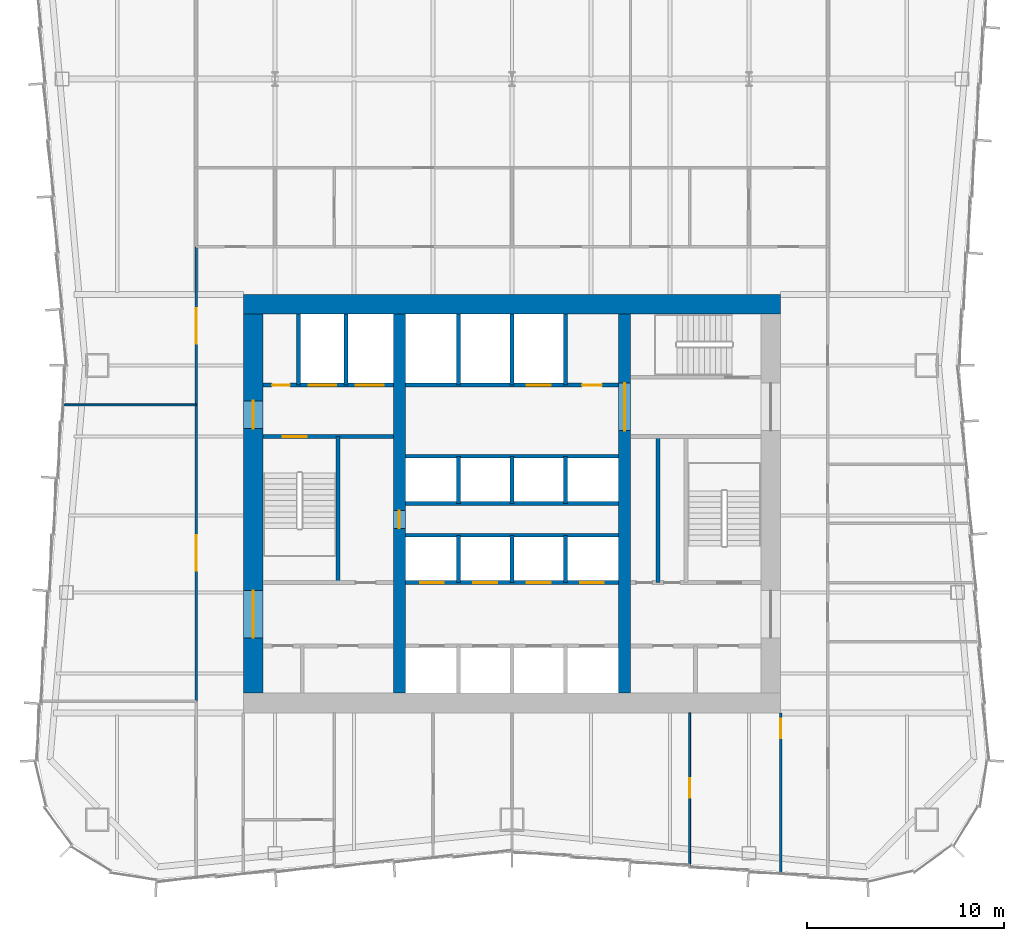
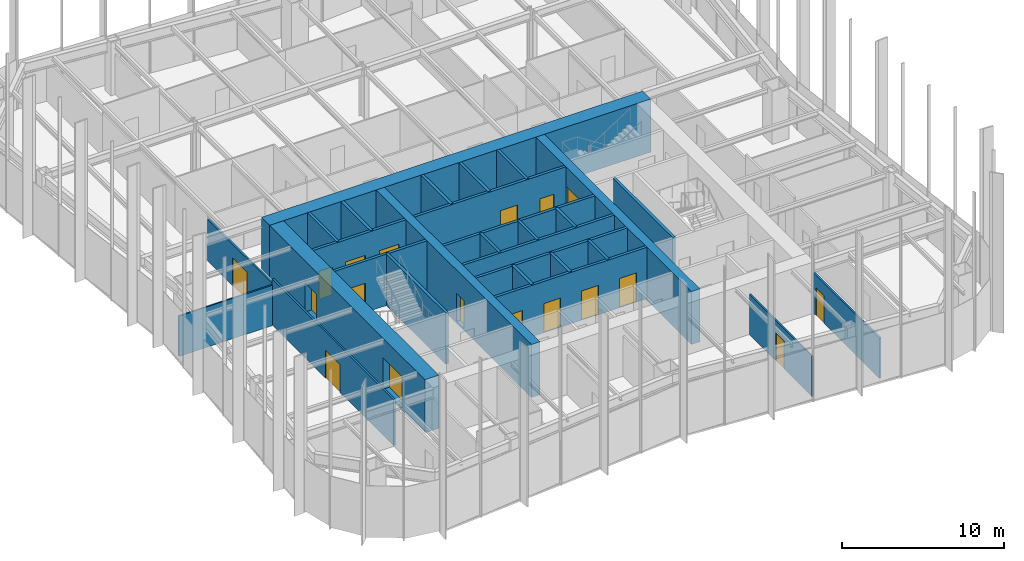
# One storey, part 10 of 13: 29 walls, 18 doors, 18 openings.
"""IFC4 building model written with IfcOpenShell, lengths in metres."""

import ifcopenshell
import ifcopenshell.guid

model = None  # the IFC model being written
_history = None  # IfcOwnerHistory: only IFC2X3 demands one
_inside = {}  # id of a spatial element -> (the spatial element, [elements in it])
_under = {}  # id of a project, library or spatial element -> (it, [spatial elements below it])
_declared = {}  # id of a project -> (the project, [libraries it declares])
_typed = {}  # id of a type object -> (the type object, [elements of that type])
_made_of = {}  # id of a material, layer set ... -> (it, [elements and type objects made of it])


def new_model(schema):
    """Start an empty IFC model of exactly this schema.

    Asked for "IFC4X3", IfcOpenShell would pick the latest addendum, in which some entities
    have other attributes; the version numbers below select the first issue.
    IFC2X3 requires an IfcOwnerHistory on every rooted entity: one is made here for all.
    """
    global model, _history
    if schema == "IFC4X3":
        model = ifcopenshell.file(schema_version=(4, 3, 0, 0))
    else:
        model = ifcopenshell.file(schema=schema)
    _inside.clear()
    _under.clear()
    _declared.clear()
    _typed.clear()
    _made_of.clear()
    _history = None
    if model.schema == "IFC2X3":
        org = make("IfcOrganization", Name="unknown")
        user = make(
            "IfcPersonAndOrganization",
            ThePerson=make("IfcPerson", FamilyName="unknown"),
            TheOrganization=org,
        )
        app = make(
            "IfcApplication",
            ApplicationDeveloper=org,
            Version="unknown",
            ApplicationFullName="unknown",
            ApplicationIdentifier="unknown",
        )
        _history = make(
            "IfcOwnerHistory",
            OwningUser=user,
            OwningApplication=app,
            ChangeAction="ADDED",
            CreationDate=0,
        )
    return model


def make(cls, **values):
    """One entity of the class cls with the attributes given. An attribute that is None is left unset."""
    return model.create_entity(
        cls, **{name: value for name, value in values.items() if value is not None}
    )


def rooted(cls, **values):
    """An entity with a GlobalId (a new one), such as an element, a storey or a relation."""
    return make(cls, GlobalId=ifcopenshell.guid.new(), OwnerHistory=_history, **values)


def si_unit(unit_type, name, prefix=None):
    """IfcSIUnit, for example si_unit("LENGTHUNIT", "METRE", prefix="MILLI")."""
    return make("IfcSIUnit", UnitType=unit_type, Prefix=prefix, Name=name)


def assignment(units):
    """IfcUnitAssignment: the units of a project."""
    return None if units is None else make("IfcUnitAssignment", Units=units)


def point(xyz):
    """IfcCartesianPoint."""
    return None if xyz is None else make("IfcCartesianPoint", Coordinates=xyz)


def direction(xyz):
    """IfcDirection."""
    return None if xyz is None else make("IfcDirection", DirectionRatios=xyz)


def frame(location, z_axis=None, x_axis=None):
    """IfcAxis2Placement3D, a coordinate frame: its origin and axes. An axis left out is left unset."""
    return make(
        "IfcAxis2Placement3D",
        Location=point(location),
        Axis=direction(z_axis),
        RefDirection=direction(x_axis),
    )


def frame_2d(location, x_axis=None):
    """IfcAxis2Placement2D, a coordinate frame in the plane: its origin and x axis."""
    return make(
        "IfcAxis2Placement2D", Location=point(location), RefDirection=direction(x_axis)
    )


def origin():
    """The frame at (0, 0, 0) with its axes left unset."""
    return frame((0.0, 0.0, 0.0))


def place(relative_to, where):
    """IfcLocalPlacement: puts the frame where relative to a parent placement (None: the world)."""
    return make(
        "IfcLocalPlacement", PlacementRelTo=relative_to, RelativePlacement=where
    )


def context(
    kind, dimensions, precision=None, world=None, true_north=None, identifier=None
):
    """IfcGeometricRepresentationContext, for example the 3D "Model" context."""
    return make(
        "IfcGeometricRepresentationContext",
        ContextIdentifier=identifier,
        ContextType=kind,
        CoordinateSpaceDimension=dimensions,
        Precision=precision,
        WorldCoordinateSystem=world,
        TrueNorth=true_north,
    )


def subcontext(parent, identifier, kind, view, scale=None):
    """IfcGeometricRepresentationSubContext, for example "Body" below "Model"."""
    return make(
        "IfcGeometricRepresentationSubContext",
        ContextIdentifier=identifier,
        ContextType=kind,
        ParentContext=parent,
        TargetScale=scale,
        TargetView=view,
    )


def project(units=None, contexts=None):
    """IfcProject with its units and contexts."""
    return rooted(
        "IfcProject",
        Name="project",
        RepresentationContexts=contexts,
        UnitsInContext=assignment(units),
    )


def spatial(cls, under=None, at=None, **own):
    """A site, building, storey or space (cls), placed at a placement, below another one or the project."""
    s = rooted(cls, ObjectPlacement=at, **own)
    if under is not None:
        _under.setdefault(under.id(), (under, []))[1].append(s)
    return s


def profile(cls, at=None, kind="AREA", **sizes):
    """A parametric profile (cls). Its sizes go by their IFC names, for example OverallWidth=200.0."""
    return make(cls, ProfileType=kind, Position=at, **sizes)


def rectangle(**sizes):
    """IfcRectangleProfileDef."""
    return profile("IfcRectangleProfileDef", **sizes)


def extrude(swept, where, along, depth):
    """IfcExtrudedAreaSolid: the profile swept, set in the frame where, extruded along a direction by depth."""
    return make(
        "IfcExtrudedAreaSolid",
        SweptArea=swept,
        Position=where,
        ExtrudedDirection=direction(along),
        Depth=depth,
    )


def shape(context_of_items, identifier, shape_type, items):
    """IfcShapeRepresentation: the items that make up one representation, for example the "Body"."""
    return make(
        "IfcShapeRepresentation",
        ContextOfItems=context_of_items,
        RepresentationIdentifier=identifier,
        RepresentationType=shape_type,
        Items=items,
    )


def material(Name=None, Category=None):
    """IfcMaterial."""
    return make("IfcMaterial", Name=Name, Category=Category)


def layer(
    of_material, thickness, ventilated=None, Name=None, Category=None, Priority=None
):
    """IfcMaterialLayer: one layer of a wall or slab, of a material (None: an air gap)."""
    return make(
        "IfcMaterialLayer",
        Material=of_material,
        LayerThickness=thickness,
        IsVentilated=ventilated,
        Name=Name,
        Category=Category,
        Priority=Priority,
    )


def layer_set(layers, Name=None):
    """IfcMaterialLayerSet."""
    return make("IfcMaterialLayerSet", MaterialLayers=layers, LayerSetName=Name)


def made_of(thing, what):
    """Note that an element or type object is made of a material, layer set ...; save() writes the relation."""
    if what is not None:
        _made_of.setdefault(what.id(), (what, []))[1].append(thing)
    return thing


def type_object(cls, material=None, **own):
    """A type object (cls), such as IfcWallType, which elements share."""
    return made_of(rooted(cls, **own), material)


def element(
    cls,
    number,
    at=None,
    inside=None,
    cuts=None,
    type_object=None,
    material=None,
    context=None,
    identifier="Body",
    shape_type=None,
    held_by="IfcProductDefinitionShape",
    body=None,
    shapes=None,
    **own,
):
    """One element of the class cls, such as IfcWall. Its Tag is "e" and its number.

    at: its placement. inside: the storey or other place that contains it. cuts: it is an
    opening in that element (IfcRelVoidsElement). A single representation is given by context,
    identifier, shape_type and body (its items); several are given by shapes. held_by: the class
    of the entity that holds the representations. save() writes the other relations.
    """
    e = rooted(cls, Tag="e%d" % number, ObjectPlacement=at, **own)
    if body is not None:
        shapes = [shape(context, identifier, shape_type, body)]
    if shapes is not None:
        e.Representation = make(held_by, Representations=shapes)
    if inside is not None:
        _inside.setdefault(inside.id(), (inside, []))[1].append(e)
    if cuts is not None:
        rooted(
            "IfcRelVoidsElement", RelatingBuildingElement=cuts, RelatedOpeningElement=e
        )
    if type_object is not None:
        _typed.setdefault(type_object.id(), (type_object, []))[1].append(e)
    return made_of(e, material)


def fill(opening, filler):
    """IfcRelFillsElement: the door or window that sits in an opening."""
    return rooted(
        "IfcRelFillsElement",
        RelatingOpeningElement=opening,
        RelatedBuildingElement=filler,
    )


def aggregate(whole, parts):
    """IfcRelAggregates: a whole, such as a stair, and the parts it consists of."""
    return rooted("IfcRelAggregates", RelatingObject=whole, RelatedObjects=parts)


def save(model, path):
    """Write the relations noted so far, then the file.

    IfcRelAggregates (storeys below a building ...), IfcRelContainedInSpatialStructure (elements
    in a storey), IfcRelDefinesByType, IfcRelAssociatesMaterial and IfcRelDeclares: one each for
    every whole, place, type object, material and project.
    """
    for whole, parts in _under.values():
        aggregate(whole, parts)
    for where, things in _inside.values():
        rooted(
            "IfcRelContainedInSpatialStructure",
            RelatedElements=things,
            RelatingStructure=where,
        )
    for kind, things in _typed.values():
        rooted("IfcRelDefinesByType", RelatedObjects=things, RelatingType=kind)
    for what, things in _made_of.values():
        rooted("IfcRelAssociatesMaterial", RelatedObjects=things, RelatingMaterial=what)
    for by, libraries in _declared.values():
        rooted("IfcRelDeclares", RelatingContext=by, RelatedDefinitions=libraries)
    model.write(path)


model = new_model("IFC4")

# Units and contexts
model_context = context("Model", 3, precision=1e-05, world=origin(), true_north=direction((0.0, 1.0)))
body_context = subcontext(model_context, "Body", "Model", "MODEL_VIEW")
ifc_project = project(units=[si_unit("LENGTHUNIT", "METRE"), si_unit("AREAUNIT", "SQUARE_METRE"), si_unit("VOLUMEUNIT", "CUBIC_METRE"), si_unit("PLANEANGLEUNIT", "RADIAN"), si_unit("MASSUNIT", "GRAM", prefix="KILO")], contexts=[model_context])

# Site, building, storey
site_placement = place(None, origin())
site = spatial("IfcSite", under=ifc_project, at=site_placement, CompositionType="ELEMENT")
building_placement = place(site_placement, origin())
building = spatial("IfcBuilding", under=site, at=building_placement, Name="Verdant Reach Tower", CompositionType="ELEMENT")
storey_placement = place(building_placement, frame((0.0, 0.0, 138.0)))
storey = spatial("IfcBuildingStorey", under=building, at=storey_placement, Name="L31", CompositionType="ELEMENT", Elevation=138.0)

# Wall
ifc_material_1 = material(Name="Gypsum board on steel studs", Category="steel")
ifc_layer_1 = layer(ifc_material_1, 0.199951171875)
ifc_layer_set_1 = layer_set([ifc_layer_1], Name="CO-WALL-ROOM")
wall_type_1 = type_object("IfcWallType", Name="CO-WALL-ROOM", PredefinedType="PARTITIONING", material=ifc_layer_set_1)
wall_1_placement = place(storey_placement, frame((7.39990234375, 24.0, 0.0), z_axis=(0.0, 0.0, 1.0), x_axis=(0.0, 1.0, 0.0)))
element("IfcWall", 1, at=wall_1_placement, inside=storey, type_object=wall_type_1, Name="Core partition, L31", PredefinedType="PARTITIONING", context=body_context, shape_type="SweptSolid", body=[
    extrude(rectangle(XDim=7.39990234375, YDim=0.199951171875, at=frame_2d((3.699951171875, 0.0))), origin(), (0.0, 0.0, 1.0), 3.8701171875),
])

# Wall, openings, doors
ifc_material_2 = material(Name="Concrete C40/50", Category="concrete")
ifc_layer_2 = layer(ifc_material_2, 0.199951171875)
ifc_layer_set_2 = layer_set([ifc_layer_2], Name="CO-WALL-SHAFT")
wall_type_2 = type_object("IfcWallType", Name="CO-WALL-SHAFT", PredefinedType="PARTITIONING", material=ifc_layer_set_2)
wall_2_placement = place(storey_placement, frame((-5.39990234375, 24.0, 0.0), z_axis=(0.0, 0.0, 1.0), x_axis=(1.0, 0.0, 0.0)))
wall_2 = element("IfcWall", 2, at=wall_2_placement, inside=storey, type_object=wall_type_2, Name="Lift shaft wall, L31", PredefinedType="PARTITIONING", context=body_context, shape_type="SweptSolid", body=[
    extrude(rectangle(XDim=10.7998046875, YDim=0.199951171875, at=frame_2d((5.39990234375, 0.0))), origin(), (0.0, 0.0, 1.0), 3.8701171875),
])
opening_1_placement = place(wall_2_placement, frame((0.75, 0.0, 0.0)))
opening_1 = element("IfcOpeningElement", 3, at=opening_1_placement, cuts=wall_2, Name="Opening LD-A5", PredefinedType="OPENING", context=body_context, shape_type="SweptSolid", body=[
    extrude(rectangle(XDim=1.199951171875, YDim=2.199951171875, at=frame_2d((0.60009765625, 1.10009765625))), frame((0.0, 0.10986328125, 0.0), z_axis=(0.0, -1.0, 0.0), x_axis=(1.0, 0.0, 0.0)), (0.0, 0.0, 1.0), 0.219970703125),
])
opening_2_placement = place(wall_2_placement, frame((3.449951171875, 0.0, 0.0)))
opening_2 = element("IfcOpeningElement", 4, at=opening_2_placement, cuts=wall_2, Name="Opening LD-A6", PredefinedType="OPENING", context=body_context, shape_type="SweptSolid", body=[
    extrude(rectangle(XDim=1.199951171875, YDim=2.199951171875, at=frame_2d((0.60009765625, 1.10009765625))), frame((0.0, 0.10986328125, 0.0), z_axis=(0.0, -1.0, 0.0), x_axis=(1.0, 0.0, 0.0)), (0.0, 0.0, 1.0), 0.219970703125),
])
opening_3_placement = place(wall_2_placement, frame((6.14990234375, 0.0, 0.0)))
opening_3 = element("IfcOpeningElement", 5, at=opening_3_placement, cuts=wall_2, Name="Opening LD-A7", PredefinedType="OPENING", context=body_context, shape_type="SweptSolid", body=[
    extrude(rectangle(XDim=1.199951171875, YDim=2.199951171875, at=frame_2d((0.60009765625, 1.10009765625))), frame((0.0, 0.10986328125, 0.0), z_axis=(0.0, -1.0, 0.0), x_axis=(1.0, 0.0, 0.0)), (0.0, 0.0, 1.0), 0.219970703125),
])
opening_4_placement = place(wall_2_placement, frame((8.85009765625, 0.0, 0.0)))
opening_4 = element("IfcOpeningElement", 6, at=opening_4_placement, cuts=wall_2, Name="Opening LD-A8", PredefinedType="OPENING", context=body_context, shape_type="SweptSolid", body=[
    extrude(rectangle(XDim=1.199951171875, YDim=2.199951171875, at=frame_2d((0.60009765625, 1.10009765625))), frame((0.0, 0.10986328125, 0.0), z_axis=(0.0, -1.0, 0.0), x_axis=(1.0, 0.0, 0.0)), (0.0, 0.0, 1.0), 0.219970703125),
])
ifc_material_3 = material(Name="Stainless steel", Category="steel")
door_type_1 = type_object("IfcDoorType", Name="CO-DOOR-LANDING", OperationType="SLIDING_TO_LEFT", PredefinedType="DOOR", material=ifc_material_3)
door_1_placement = place(opening_1_placement, origin())
door_1 = element("IfcDoor", 7, at=door_1_placement, inside=storey, type_object=door_type_1, Name="Landing door A5, L31", OperationType="SLIDING_TO_LEFT", OverallHeight=2.199951171875, OverallWidth=1.199951171875, PredefinedType="DOOR", context=body_context, shape_type="SweptSolid", body=[
    extrude(rectangle(XDim=1.199951171875, YDim=2.199951171875, at=frame_2d((0.60009765625, 1.10009765625))), frame((0.0, 0.02490234375, 0.0), z_axis=(0.0, -1.0, 0.0), x_axis=(1.0, 0.0, 0.0)), (0.0, 0.0, 1.0), 0.050048828125),
])
fill(opening_1, door_1)
door_2_placement = place(opening_2_placement, origin())
door_2 = element("IfcDoor", 8, at=door_2_placement, inside=storey, type_object=door_type_1, Name="Landing door A6, L31", OperationType="SLIDING_TO_LEFT", OverallHeight=2.199951171875, OverallWidth=1.199951171875, PredefinedType="DOOR", context=body_context, shape_type="SweptSolid", body=[
    extrude(rectangle(XDim=1.199951171875, YDim=2.199951171875, at=frame_2d((0.60009765625, 1.10009765625))), frame((0.0, 0.02490234375, 0.0), z_axis=(0.0, -1.0, 0.0), x_axis=(1.0, 0.0, 0.0)), (0.0, 0.0, 1.0), 0.050048828125),
])
fill(opening_2, door_2)
door_3_placement = place(opening_3_placement, origin())
door_3 = element("IfcDoor", 9, at=door_3_placement, inside=storey, type_object=door_type_1, Name="Landing door A7, L31", OperationType="SLIDING_TO_LEFT", OverallHeight=2.199951171875, OverallWidth=1.199951171875, PredefinedType="DOOR", context=body_context, shape_type="SweptSolid", body=[
    extrude(rectangle(XDim=1.199951171875, YDim=2.199951171875, at=frame_2d((0.60009765625, 1.10009765625))), frame((0.0, 0.02490234375, 0.0), z_axis=(0.0, -1.0, 0.0), x_axis=(1.0, 0.0, 0.0)), (0.0, 0.0, 1.0), 0.050048828125),
])
fill(opening_3, door_3)
door_4_placement = place(opening_4_placement, origin())
door_4 = element("IfcDoor", 10, at=door_4_placement, inside=storey, type_object=door_type_1, Name="Landing door A8, L31", OperationType="SLIDING_TO_LEFT", OverallHeight=2.199951171875, OverallWidth=1.199951171875, PredefinedType="DOOR", context=body_context, shape_type="SweptSolid", body=[
    extrude(rectangle(XDim=1.199951171875, YDim=2.199951171875, at=frame_2d((0.60009765625, 1.10009765625))), frame((0.0, 0.02490234375, 0.0), z_axis=(0.0, -1.0, 0.0), x_axis=(1.0, 0.0, 0.0)), (0.0, 0.0, 1.0), 0.050048828125),
])
fill(opening_4, door_4)

# Walls
for number, where, z_axis, x_axis, name in (
    (11, (-5.39990234375, 26.39990234375, 0.0), (0.0, 0.0, 1.0), (1.0, 0.0, 0.0), "Lift shaft wall, L31"),
    (12, (-5.39990234375, 28.0, 0.0), (0.0, 0.0, 1.0), (1.0, 0.0, 0.0), "Lift shaft wall, L31"),
    (13, (-5.39990234375, 30.39990234375, 0.0), (0.0, 0.0, 1.0), (1.0, 0.0, 0.0), "Lift shaft wall, L31"),
):
    element("IfcWall", number, at=place(storey_placement, frame(where, z_axis=z_axis, x_axis=x_axis)), inside=storey, type_object=wall_type_2, Name=name, PredefinedType="PARTITIONING", context=body_context, shape_type="SweptSolid", body=[
        extrude(rectangle(XDim=10.7998046875, YDim=0.199951171875, at=frame_2d((5.39990234375, 0.0))), origin(), (0.0, 0.0, 1.0), 3.8701171875),
    ])

# Wall, openings, doors
wall_3_placement = place(storey_placement, frame((-12.60009765625, 34.0, 0.0), z_axis=(0.0, 0.0, 1.0), x_axis=(1.0, 0.0, 0.0)))
wall_3 = element("IfcWall", 14, at=wall_3_placement, inside=storey, type_object=wall_type_2, Name="Lift shaft wall, L31", PredefinedType="PARTITIONING", context=body_context, shape_type="SweptSolid", body=[
    extrude(rectangle(XDim=6.60009765625, YDim=0.199951171875, at=frame_2d((3.300048828125, 0.0))), origin(), (0.0, 0.0, 1.0), 3.8701171875),
])
opening_5_placement = place(wall_3_placement, frame((4.699951171875, 0.0, 0.0)))
opening_5 = element("IfcOpeningElement", 15, at=opening_5_placement, cuts=wall_3, Name="Opening LD-F1", PredefinedType="OPENING", context=body_context, shape_type="SweptSolid", body=[
    extrude(rectangle(XDim=1.39990234375, YDim=2.199951171875, at=frame_2d((0.699951171875, 1.10009765625))), frame((0.0, 0.10986328125, 0.0), z_axis=(0.0, -1.0, 0.0), x_axis=(1.0, 0.0, 0.0)), (0.0, 0.0, 1.0), 0.219970703125),
])
opening_6_placement = place(wall_3_placement, frame((2.300048828125, 0.0, 0.0)))
opening_6 = element("IfcOpeningElement", 16, at=opening_6_placement, cuts=wall_3, Name="Opening LD-F2", PredefinedType="OPENING", context=body_context, shape_type="SweptSolid", body=[
    extrude(rectangle(XDim=1.39990234375, YDim=2.199951171875, at=frame_2d((0.699951171875, 1.10009765625))), frame((0.0, 0.10986328125, 0.0), z_axis=(0.0, -1.0, 0.0), x_axis=(1.0, 0.0, 0.0)), (0.0, 0.0, 1.0), 0.219970703125),
])
opening_7_placement = place(wall_3_placement, frame((0.449951171875, 0.0, 0.0)))
opening_7 = element("IfcOpeningElement", 17, at=opening_7_placement, cuts=wall_3, Name="Opening RD", PredefinedType="OPENING", context=body_context, shape_type="SweptSolid", body=[
    extrude(rectangle(XDim=0.89990234375, YDim=2.10009765625, at=frame_2d((0.449951171875, 1.050048828125))), frame((0.0, 0.10986328125, 0.0), z_axis=(0.0, -1.0, 0.0), x_axis=(1.0, 0.0, 0.0)), (0.0, 0.0, 1.0), 0.219970703125),
])
door_type_2 = type_object("IfcDoorType", Name="CO-DOOR-LANDING-FF", OperationType="SLIDING_TO_LEFT", PredefinedType="DOOR", material=ifc_material_3)
door_5_placement = place(opening_5_placement, origin())
door_5 = element("IfcDoor", 18, at=door_5_placement, inside=storey, type_object=door_type_2, Name="Landing door F1, L31", OperationType="SLIDING_TO_LEFT", OverallHeight=2.199951171875, OverallWidth=1.39990234375, PredefinedType="DOOR", context=body_context, shape_type="SweptSolid", body=[
    extrude(rectangle(XDim=1.39990234375, YDim=2.199951171875, at=frame_2d((0.699951171875, 1.10009765625))), frame((0.0, 0.02490234375, 0.0), z_axis=(0.0, -1.0, 0.0), x_axis=(1.0, 0.0, 0.0)), (0.0, 0.0, 1.0), 0.050048828125),
])
fill(opening_5, door_5)
door_6_placement = place(opening_6_placement, origin())
door_6 = element("IfcDoor", 19, at=door_6_placement, inside=storey, type_object=door_type_2, Name="Landing door F2, L31", OperationType="SLIDING_TO_LEFT", OverallHeight=2.199951171875, OverallWidth=1.39990234375, PredefinedType="DOOR", context=body_context, shape_type="SweptSolid", body=[
    extrude(rectangle(XDim=1.39990234375, YDim=2.199951171875, at=frame_2d((0.699951171875, 1.10009765625))), frame((0.0, 0.02490234375, 0.0), z_axis=(0.0, -1.0, 0.0), x_axis=(1.0, 0.0, 0.0)), (0.0, 0.0, 1.0), 0.050048828125),
])
fill(opening_6, door_6)
ifc_material_4 = material(Name="Steel", Category="steel")
door_type_3 = type_object("IfcDoorType", Name="CO-DOOR-RISER", OperationType="NOTDEFINED", PredefinedType="DOOR", material=ifc_material_4)
door_7_placement = place(opening_7_placement, origin())
door_7 = element("IfcDoor", 20, at=door_7_placement, inside=storey, type_object=door_type_3, Name="Core room door, L31", OperationType="SINGLE_SWING_RIGHT", OverallHeight=2.10009765625, OverallWidth=0.89990234375, PredefinedType="DOOR", context=body_context, shape_type="SweptSolid", body=[
    extrude(rectangle(XDim=0.89990234375, YDim=2.10009765625, at=frame_2d((0.449951171875, 1.050048828125))), frame((0.0, 0.02490234375, 0.0), z_axis=(0.0, -1.0, 0.0), x_axis=(1.0, 0.0, 0.0)), (0.0, 0.0, 1.0), 0.050048828125),
])
fill(opening_7, door_7)

wall_4_placement = place(storey_placement, frame((-5.39990234375, 34.0, 0.0), z_axis=(0.0, 0.0, 1.0), x_axis=(1.0, 0.0, 0.0)))
wall_4 = element("IfcWall", 21, at=wall_4_placement, inside=storey, type_object=wall_type_2, Name="Lift shaft wall, L31", PredefinedType="PARTITIONING", context=body_context, shape_type="SweptSolid", body=[
    extrude(rectangle(XDim=10.7998046875, YDim=0.199951171875, at=frame_2d((5.39990234375, 0.0))), origin(), (0.0, 0.0, 1.0), 3.8701171875),
])
opening_8_placement = place(wall_4_placement, frame((6.14990234375, 0.0, 0.0)))
opening_8 = element("IfcOpeningElement", 22, at=opening_8_placement, cuts=wall_4, Name="Opening LD-SL1", PredefinedType="OPENING", context=body_context, shape_type="SweptSolid", body=[
    extrude(rectangle(XDim=1.199951171875, YDim=2.199951171875, at=frame_2d((0.60009765625, 1.10009765625))), frame((0.0, 0.10986328125, 0.0), z_axis=(0.0, -1.0, 0.0), x_axis=(1.0, 0.0, 0.0)), (0.0, 0.0, 1.0), 0.219970703125),
])
opening_9_placement = place(wall_4_placement, frame((8.949951171875, 0.0, 0.0)))
opening_9 = element("IfcOpeningElement", 23, at=opening_9_placement, cuts=wall_4, Name="Opening CD", PredefinedType="OPENING", context=body_context, shape_type="SweptSolid", body=[
    extrude(rectangle(XDim=1.0, YDim=2.10009765625, at=frame_2d((0.5, 1.050048828125))), frame((0.0, 0.10986328125, 0.0), z_axis=(0.0, -1.0, 0.0), x_axis=(1.0, 0.0, 0.0)), (0.0, 0.0, 1.0), 0.219970703125),
])
door_8_placement = place(opening_8_placement, origin())
door_8 = element("IfcDoor", 24, at=door_8_placement, inside=storey, type_object=door_type_1, Name="Landing door SL1, L31", OperationType="SLIDING_TO_LEFT", OverallHeight=2.199951171875, OverallWidth=1.199951171875, PredefinedType="DOOR", context=body_context, shape_type="SweptSolid", body=[
    extrude(rectangle(XDim=1.199951171875, YDim=2.199951171875, at=frame_2d((0.60009765625, 1.10009765625))), frame((0.0, 0.02490234375, 0.0), z_axis=(0.0, -1.0, 0.0), x_axis=(1.0, 0.0, 0.0)), (0.0, 0.0, 1.0), 0.050048828125),
])
fill(opening_8, door_8)
ifc_material_5 = material(Name="Timber", Category="wood")
door_type_4 = type_object("IfcDoorType", Name="CO-DOOR-ROOM", OperationType="NOTDEFINED", PredefinedType="DOOR", material=ifc_material_5)
door_9_placement = place(opening_9_placement, origin())
door_9 = element("IfcDoor", 25, at=door_9_placement, inside=storey, type_object=door_type_4, Name="Core room door, L31", OperationType="SINGLE_SWING_LEFT", OverallHeight=2.10009765625, OverallWidth=1.0, PredefinedType="DOOR", context=body_context, shape_type="SweptSolid", body=[
    extrude(rectangle(XDim=1.0, YDim=2.10009765625, at=frame_2d((0.5, 1.050048828125))), frame((0.0, 0.02490234375, 0.0), z_axis=(0.0, -1.0, 0.0), x_axis=(1.0, 0.0, 0.0)), (0.0, 0.0, 1.0), 0.050048828125),
])
fill(opening_9, door_9)

# Walls
for number, where, z_axis, x_axis, name in (
    (26, (-10.800048828125, 34.0, 0.0), (0.0, 0.0, 1.0), (0.0, 1.0, 0.0), "Lift shaft wall, L31"),
    (27, (-8.39990234375, 34.0, 0.0), (0.0, 0.0, 1.0), (0.0, 1.0, 0.0), "Lift shaft wall, L31"),
):
    element("IfcWall", number, at=place(storey_placement, frame(where, z_axis=z_axis, x_axis=x_axis)), inside=storey, type_object=wall_type_2, Name=name, PredefinedType="PARTITIONING", context=body_context, shape_type="SweptSolid", body=[
        extrude(rectangle(XDim=3.60009765625, YDim=0.199951171875, at=frame_2d((1.800048828125, 0.0))), origin(), (0.0, 0.0, 1.0), 3.8701171875),
    ])
for number, where, z_axis, x_axis, name in (
    (28, (-2.699951171875, 24.0, 0.0), (0.0, 0.0, 1.0), (0.0, 1.0, 0.0), "Lift shaft wall, L31"),
    (29, (-2.699951171875, 28.0, 0.0), (0.0, 0.0, 1.0), (0.0, 1.0, 0.0), "Lift shaft wall, L31"),
):
    element("IfcWall", number, at=place(storey_placement, frame(where, z_axis=z_axis, x_axis=x_axis)), inside=storey, type_object=wall_type_2, Name=name, PredefinedType="PARTITIONING", context=body_context, shape_type="SweptSolid", body=[
        extrude(rectangle(XDim=2.39990234375, YDim=0.199951171875, at=frame_2d((1.199951171875, 0.0))), origin(), (0.0, 0.0, 1.0), 3.8701171875),
    ])
wall_5_placement = place(storey_placement, frame((-2.699951171875, 34.0, 0.0), z_axis=(0.0, 0.0, 1.0), x_axis=(0.0, 1.0, 0.0)))
element("IfcWall", 30, at=wall_5_placement, inside=storey, type_object=wall_type_2, Name="Lift shaft wall, L31", PredefinedType="PARTITIONING", context=body_context, shape_type="SweptSolid", body=[
    extrude(rectangle(XDim=3.60009765625, YDim=0.199951171875, at=frame_2d((1.800048828125, 0.0))), origin(), (0.0, 0.0, 1.0), 3.8701171875),
])
for number, where, z_axis, x_axis, name in (
    (31, (0.0, 24.0, 0.0), (0.0, 0.0, 1.0), (0.0, 1.0, 0.0), "Lift shaft wall, L31"),
    (32, (0.0, 28.0, 0.0), (0.0, 0.0, 1.0), (0.0, 1.0, 0.0), "Lift shaft wall, L31"),
):
    element("IfcWall", number, at=place(storey_placement, frame(where, z_axis=z_axis, x_axis=x_axis)), inside=storey, type_object=wall_type_2, Name=name, PredefinedType="PARTITIONING", context=body_context, shape_type="SweptSolid", body=[
        extrude(rectangle(XDim=2.39990234375, YDim=0.199951171875, at=frame_2d((1.199951171875, 0.0))), origin(), (0.0, 0.0, 1.0), 3.8701171875),
    ])
wall_6_placement = place(storey_placement, frame((0.0, 34.0, 0.0), z_axis=(0.0, 0.0, 1.0), x_axis=(0.0, 1.0, 0.0)))
element("IfcWall", 33, at=wall_6_placement, inside=storey, type_object=wall_type_2, Name="Lift shaft wall, L31", PredefinedType="PARTITIONING", context=body_context, shape_type="SweptSolid", body=[
    extrude(rectangle(XDim=3.60009765625, YDim=0.199951171875, at=frame_2d((1.800048828125, 0.0))), origin(), (0.0, 0.0, 1.0), 3.8701171875),
])
for number, where, z_axis, x_axis, name in (
    (34, (2.699951171875, 24.0, 0.0), (0.0, 0.0, 1.0), (0.0, 1.0, 0.0), "Lift shaft wall, L31"),
    (35, (2.699951171875, 28.0, 0.0), (0.0, 0.0, 1.0), (0.0, 1.0, 0.0), "Lift shaft wall, L31"),
):
    element("IfcWall", number, at=place(storey_placement, frame(where, z_axis=z_axis, x_axis=x_axis)), inside=storey, type_object=wall_type_2, Name=name, PredefinedType="PARTITIONING", context=body_context, shape_type="SweptSolid", body=[
        extrude(rectangle(XDim=2.39990234375, YDim=0.199951171875, at=frame_2d((1.199951171875, 0.0))), origin(), (0.0, 0.0, 1.0), 3.8701171875),
    ])
wall_7_placement = place(storey_placement, frame((2.699951171875, 34.0, 0.0), z_axis=(0.0, 0.0, 1.0), x_axis=(0.0, 1.0, 0.0)))
element("IfcWall", 36, at=wall_7_placement, inside=storey, type_object=wall_type_2, Name="Lift shaft wall, L31", PredefinedType="PARTITIONING", context=body_context, shape_type="SweptSolid", body=[
    extrude(rectangle(XDim=3.60009765625, YDim=0.199951171875, at=frame_2d((1.800048828125, 0.0))), origin(), (0.0, 0.0, 1.0), 3.8701171875),
])

# Wall, opening, door
ifc_layer_3 = layer(ifc_material_2, 0.199951171875)
ifc_layer_set_3 = layer_set([ifc_layer_3], Name="CO-WALL-STAIR")
wall_type_3 = type_object("IfcWallType", Name="CO-WALL-STAIR", PredefinedType="PARTITIONING", material=ifc_layer_set_3)
wall_8_placement = place(storey_placement, frame((-12.60009765625, 31.39990234375, 0.0), z_axis=(0.0, 0.0, 1.0), x_axis=(1.0, 0.0, 0.0)))
wall_8 = element("IfcWall", 37, at=wall_8_placement, inside=storey, type_object=wall_type_3, Name="Stair enclosure wall, L31", PredefinedType="PARTITIONING", context=body_context, shape_type="SweptSolid", body=[
    extrude(rectangle(XDim=6.60009765625, YDim=0.199951171875, at=frame_2d((3.300048828125, 0.0))), origin(), (0.0, 0.0, 1.0), 3.8701171875),
])
opening_10_placement = place(wall_8_placement, frame((1.0, 0.0, 0.0)))
opening_10 = element("IfcOpeningElement", 38, at=opening_10_placement, cuts=wall_8, Name="Opening SD", PredefinedType="OPENING", context=body_context, shape_type="SweptSolid", body=[
    extrude(rectangle(XDim=1.199951171875, YDim=2.199951171875, at=frame_2d((0.60009765625, 1.10009765625))), frame((0.0, 0.10986328125, 0.0), z_axis=(0.0, -1.0, 0.0), x_axis=(1.0, 0.0, 0.0)), (0.0, 0.0, 1.0), 0.219970703125),
])
door_type_5 = type_object("IfcDoorType", Name="CO-DOOR-STAIR", OperationType="NOTDEFINED", PredefinedType="DOOR", material=ifc_material_4)
door_10_placement = place(opening_10_placement, origin())
door_10 = element("IfcDoor", 39, at=door_10_placement, inside=storey, type_object=door_type_5, Name="Stair door, L31", OperationType="SINGLE_SWING_LEFT", OverallHeight=2.199951171875, OverallWidth=1.199951171875, PredefinedType="DOOR", context=body_context, shape_type="SweptSolid", body=[
    extrude(rectangle(XDim=1.199951171875, YDim=2.199951171875, at=frame_2d((0.60009765625, 1.10009765625))), frame((0.0, 0.02490234375, 0.0), z_axis=(0.0, -1.0, 0.0), x_axis=(1.0, 0.0, 0.0)), (0.0, 0.0, 1.0), 0.050048828125),
])
fill(opening_10, door_10)

# Walls
wall_9_placement = place(storey_placement, frame((-8.800048828125, 24.0, 0.0), z_axis=(0.0, 0.0, 1.0), x_axis=(0.0, 1.0, 0.0)))
element("IfcWall", 40, at=wall_9_placement, inside=storey, type_object=wall_type_3, Name="Stair enclosure wall, L31", PredefinedType="PARTITIONING", context=body_context, shape_type="SweptSolid", body=[
    extrude(rectangle(XDim=7.39990234375, YDim=0.199951171875, at=frame_2d((3.699951171875, 0.0))), origin(), (0.0, 0.0, 1.0), 3.8701171875),
])
ifc_layer_4 = layer(ifc_material_1, 0.10009765625)
ifc_layer_set_4 = layer_set([ifc_layer_4], Name="FL-W1 Partition 100")
wall_type_4 = type_object("IfcWallType", Name="FL-W1 Partition 100", PredefinedType="PARTITIONING", material=ifc_layer_set_4)
wall_10_placement = place(storey_placement, frame((-16.0, 33.0, 0.0), z_axis=(0.0, 0.0, 1.0), x_axis=(-1.0, 0.0, 0.0)))
element("IfcWall", 41, at=wall_10_placement, inside=storey, type_object=wall_type_4, Name="Partition 31.20", PredefinedType="PARTITIONING", context=body_context, shape_type="SweptSolid", body=[
    extrude(rectangle(XDim=6.72998046875, YDim=0.10009765625, at=frame_2d((3.364990234375, 0.0))), origin(), (0.0, 0.0, 1.0), 3.0400390625),
])

# Wall, opening, door
wall_11_placement = place(storey_placement, frame((9.0, 9.669921875, 0.0), z_axis=(0.0, 0.0, 1.0), x_axis=(0.0, 1.0, 0.0)))
wall_11 = element("IfcWall", 42, at=wall_11_placement, inside=storey, type_object=wall_type_4, Name="Partition 31.36", PredefinedType="PARTITIONING", context=body_context, shape_type="SweptSolid", body=[
    extrude(rectangle(XDim=7.72998046875, YDim=0.10009765625, at=frame_2d((3.864990234375, 0.0))), origin(), (0.0, 0.0, 1.0), 3.0400390625),
])
opening_11_placement = place(wall_11_placement, frame((3.43017578125, 0.0, 0.0)))
opening_11 = element("IfcOpeningElement", 43, at=opening_11_placement, cuts=wall_11, Name="Opening D3", PredefinedType="OPENING", context=body_context, shape_type="SweptSolid", body=[
    extrude(rectangle(XDim=1.0, YDim=2.10009765625, at=frame_2d((0.5, 1.050048828125))), frame((0.0, 0.06005859375, 0.0), z_axis=(0.0, -1.0, 0.0), x_axis=(1.0, 0.0, 0.0)), (0.0, 0.0, 1.0), 0.1201171875),
])
ifc_material_6 = material(Name="Painted timber door leaf", Category="wood")
door_type_6 = type_object("IfcDoorType", Name="FL-D3 Door 1000x2100", OperationType="NOTDEFINED", PredefinedType="DOOR", material=ifc_material_6)
door_11_placement = place(opening_11_placement, origin())
door_11 = element("IfcDoor", 44, at=door_11_placement, inside=storey, type_object=door_type_6, Name="Door 31-019", OperationType="SINGLE_SWING_RIGHT", OverallHeight=2.10009765625, OverallWidth=1.0, PredefinedType="DOOR", context=body_context, shape_type="SweptSolid", body=[
    extrude(rectangle(XDim=1.0, YDim=2.10009765625, at=frame_2d((0.5, 1.050048828125))), frame((0.0, 0.02490234375, 0.0), z_axis=(0.0, -1.0, 0.0), x_axis=(1.0, 0.0, 0.0)), (0.0, 0.0, 1.0), 0.050048828125),
])
fill(opening_11, door_11)

ifc_material_7 = material(Name="Gypsum board on steel studs, fire rated", Category="steel")
ifc_layer_5 = layer(ifc_material_7, 0.125)
ifc_layer_set_5 = layer_set([ifc_layer_5], Name="FL-W2 Corridor wall 125")
wall_type_5 = type_object("IfcWallType", Name="FL-W2 Corridor wall 125", PredefinedType="PARTITIONING", material=ifc_layer_set_5)
wall_12_placement = place(storey_placement, frame((-16.0, 33.0, 0.0), z_axis=(0.0, 0.0, 1.0), x_axis=(0.0, -1.0, 0.0)))
wall_12 = element("IfcWall", 45, at=wall_12_placement, inside=storey, type_object=wall_type_5, Name="Partition 31.02", PredefinedType="PARTITIONING", context=body_context, shape_type="SweptSolid", body=[
    extrude(rectangle(XDim=15.0, YDim=0.125, at=frame_2d((7.5, 0.0))), origin(), (0.0, 0.0, 1.0), 3.47998046875),
])
opening_12_placement = place(wall_12_placement, frame((6.60009765625, 0.0, 0.0)))
opening_12 = element("IfcOpeningElement", 46, at=opening_12_placement, cuts=wall_12, Name="Opening D4", PredefinedType="OPENING", context=body_context, shape_type="SweptSolid", body=[
    extrude(rectangle(XDim=1.800048828125, YDim=2.10009765625, at=frame_2d((0.89990234375, 1.050048828125))), frame((0.0, 0.072509765625, 0.0), z_axis=(0.0, -1.0, 0.0), x_axis=(1.0, 0.0, 0.0)), (0.0, 0.0, 1.0), 0.14501953125),
])
ifc_material_8 = material(Name="Timber door leaves, fire rated", Category="wood")
door_type_7 = type_object("IfcDoorType", Name="FL-D4 Double door 1800x2100 FD30", OperationType="DOUBLE_DOOR_SINGLE_SWING", PredefinedType="DOOR", material=ifc_material_8)
door_12_placement = place(opening_12_placement, origin())
door_12 = element("IfcDoor", 47, at=door_12_placement, inside=storey, type_object=door_type_7, Name="Door 31-002", OperationType="DOUBLE_DOOR_SINGLE_SWING", OverallHeight=2.10009765625, OverallWidth=1.800048828125, PredefinedType="DOOR", context=body_context, shape_type="SweptSolid", body=[
    extrude(rectangle(XDim=1.800048828125, YDim=2.10009765625, at=frame_2d((0.89990234375, 1.050048828125))), frame((0.0, 0.02490234375, 0.0), z_axis=(0.0, -1.0, 0.0), x_axis=(1.0, 0.0, 0.0)), (0.0, 0.0, 1.0), 0.050048828125),
])
fill(opening_12, door_12)

wall_13_placement = place(storey_placement, frame((-16.0, 41.00390625, 0.0), z_axis=(0.0, 0.0, 1.0), x_axis=(0.0, -1.0, 0.0)))
wall_13 = element("IfcWall", 48, at=wall_13_placement, inside=storey, type_object=wall_type_5, Name="Partition 31.03", PredefinedType="PARTITIONING", context=body_context, shape_type="SweptSolid", body=[
    extrude(rectangle(XDim=8.00390625, YDim=0.125, at=frame_2d((4.001953125, 0.0))), origin(), (0.0, 0.0, 1.0), 3.139892578125),
])
opening_13_placement = place(wall_13_placement, frame((3.10205078125, 0.0, 0.0)))
opening_13 = element("IfcOpeningElement", 49, at=opening_13_placement, cuts=wall_13, Name="Opening D4", PredefinedType="OPENING", context=body_context, shape_type="SweptSolid", body=[
    extrude(rectangle(XDim=1.800048828125, YDim=2.10009765625, at=frame_2d((0.89990234375, 1.050048828125))), frame((0.0, 0.072509765625, 0.0), z_axis=(0.0, -1.0, 0.0), x_axis=(1.0, 0.0, 0.0)), (0.0, 0.0, 1.0), 0.14501953125),
])
door_13_placement = place(opening_13_placement, origin())
door_13 = element("IfcDoor", 50, at=door_13_placement, inside=storey, type_object=door_type_7, Name="Door 31-003", OperationType="DOUBLE_DOOR_SINGLE_SWING", OverallHeight=2.10009765625, OverallWidth=1.800048828125, PredefinedType="DOOR", context=body_context, shape_type="SweptSolid", body=[
    extrude(rectangle(XDim=1.800048828125, YDim=2.10009765625, at=frame_2d((0.89990234375, 1.050048828125))), frame((0.0, 0.02490234375, 0.0), z_axis=(0.0, -1.0, 0.0), x_axis=(1.0, 0.0, 0.0)), (0.0, 0.0, 1.0), 0.050048828125),
])
fill(opening_13, door_13)

wall_14_placement = place(storey_placement, frame((13.60009765625, 9.28662109375, 0.0), z_axis=(0.0, 0.0, 1.0), x_axis=(0.0, 1.0, 0.0)))
wall_14 = element("IfcWall", 51, at=wall_14_placement, inside=storey, type_object=wall_type_5, Name="Partition 31.11", PredefinedType="PARTITIONING", context=body_context, shape_type="SweptSolid", body=[
    extrude(rectangle(XDim=8.11328125, YDim=0.125, at=frame_2d((4.056640625, 0.0))), origin(), (0.0, 0.0, 1.0), 3.0400390625),
])
opening_14_placement = place(wall_14_placement, frame((6.82177734375, 0.0, 0.0)))
opening_14 = element("IfcOpeningElement", 52, at=opening_14_placement, cuts=wall_14, Name="Opening D2", PredefinedType="OPENING", context=body_context, shape_type="SweptSolid", body=[
    extrude(rectangle(XDim=1.0, YDim=2.10009765625, at=frame_2d((0.5, 1.050048828125))), frame((0.0, 0.072509765625, 0.0), z_axis=(0.0, -1.0, 0.0), x_axis=(1.0, 0.0, 0.0)), (0.0, 0.0, 1.0), 0.14501953125),
])
ifc_material_9 = material(Name="Timber door leaf, fire rated", Category="wood")
door_type_8 = type_object("IfcDoorType", Name="FL-D2 Entrance door 1000x2100 FD30", OperationType="NOTDEFINED", PredefinedType="DOOR", material=ifc_material_9)
door_14_placement = place(opening_14_placement, origin())
door_14 = element("IfcDoor", 53, at=door_14_placement, inside=storey, type_object=door_type_8, Name="Door 31-010", OperationType="SINGLE_SWING_RIGHT", OverallHeight=2.10009765625, OverallWidth=1.0, PredefinedType="DOOR", context=body_context, shape_type="SweptSolid", body=[
    extrude(rectangle(XDim=1.0, YDim=2.10009765625, at=frame_2d((0.5, 1.050048828125))), frame((0.0, 0.02490234375, 0.0), z_axis=(0.0, -1.0, 0.0), x_axis=(1.0, 0.0, 0.0)), (0.0, 0.0, 1.0), 0.050048828125),
])
fill(opening_14, door_14)

# Wall
ifc_material_10 = material(Name="Concrete C70/85", Category="concrete")
ifc_layer_6 = layer(ifc_material_10, 1.0)
ifc_layer_set_6 = layer_set([ifc_layer_6], Name="ST-CORE-WALL-1000")
wall_type_6 = type_object("IfcWallType", Name="ST-CORE-WALL-1000", PredefinedType="SHEAR", material=ifc_layer_set_6)
wall_15_placement = place(storey_placement, frame((-13.60009765625, 38.10009765625, -0.1298828125), z_axis=(0.0, 0.0, 1.0), x_axis=(1.0, 0.0, 0.0)))
element("IfcWall", 54, at=wall_15_placement, inside=storey, type_object=wall_type_6, Name="Core wall N, L31", PredefinedType="SHEAR", context=body_context, shape_type="SweptSolid", body=[
    extrude(rectangle(XDim=27.2001953125, YDim=1.0, at=frame_2d((13.60009765625, 0.0))), origin(), (0.0, 0.0, 1.0), 4.0),
])

# Wall, openings, doors
wall_16_placement = place(storey_placement, frame((-13.10009765625, 18.39990234375, -0.1298828125), z_axis=(0.0, 0.0, 1.0), x_axis=(0.0, 1.0, 0.0)))
wall_16 = element("IfcWall", 55, at=wall_16_placement, inside=storey, type_object=wall_type_6, Name="Core wall W, L31", PredefinedType="SHEAR", context=body_context, shape_type="SweptSolid", body=[
    extrude(rectangle(XDim=19.2001953125, YDim=1.0, at=frame_2d((9.60009765625, 0.0))), origin(), (0.0, 0.0, 1.0), 4.0),
])
opening_15_placement = place(wall_16_placement, frame((2.800048828125, 0.0, 0.1298828125)))
opening_15 = element("IfcOpeningElement", 56, at=opening_15_placement, cuts=wall_16, Name="Opening LB", PredefinedType="OPENING", context=body_context, shape_type="SweptSolid", body=[
    extrude(rectangle(XDim=2.39990234375, YDim=2.39990234375, at=frame_2d((1.199951171875, 1.199951171875))), frame((0.0, 0.510009765625, 0.0), z_axis=(0.0, -1.0, 0.0), x_axis=(1.0, 0.0, 0.0)), (0.0, 0.0, 1.0), 1.02001953125),
])
opening_16_placement = place(wall_16_placement, frame((13.39990234375, 0.0, 0.1298828125)))
opening_16 = element("IfcOpeningElement", 57, at=opening_16_placement, cuts=wall_16, Name="Opening FL", PredefinedType="OPENING", context=body_context, shape_type="SweptSolid", body=[
    extrude(rectangle(XDim=1.39990234375, YDim=2.199951171875, at=frame_2d((0.699951171875, 1.10009765625))), frame((0.0, 0.510009765625, 0.0), z_axis=(0.0, -1.0, 0.0), x_axis=(1.0, 0.0, 0.0)), (0.0, 0.0, 1.0), 1.02001953125),
])
door_type_9 = type_object("IfcDoorType", Name="CO-DOOR-FFL", OperationType="NOTDEFINED", PredefinedType="DOOR", material=ifc_material_4)
door_15_placement = place(opening_16_placement, origin())
door_15 = element("IfcDoor", 58, at=door_15_placement, inside=storey, type_object=door_type_9, Name="Core entrance door, L31", OperationType="SINGLE_SWING_LEFT", OverallHeight=2.199951171875, OverallWidth=1.39990234375, PredefinedType="DOOR", context=body_context, shape_type="SweptSolid", body=[
    extrude(rectangle(XDim=1.39990234375, YDim=2.199951171875, at=frame_2d((0.699951171875, 1.10009765625))), frame((0.0, 0.02490234375, 0.0), z_axis=(0.0, -1.0, 0.0), x_axis=(1.0, 0.0, 0.0)), (0.0, 0.0, 1.0), 0.050048828125),
])
fill(opening_16, door_15)
ifc_material_11 = material(Name="Glass and steel", Category="steel")
door_type_10 = type_object("IfcDoorType", Name="CO-DOOR-LOBBY", OperationType="DOUBLE_DOOR_SINGLE_SWING", PredefinedType="DOOR", material=ifc_material_11)
door_16_placement = place(opening_15_placement, origin())
door_16 = element("IfcDoor", 59, at=door_16_placement, inside=storey, type_object=door_type_10, Name="Core entrance door, L31", OperationType="DOUBLE_DOOR_SINGLE_SWING", OverallHeight=2.39990234375, OverallWidth=2.39990234375, PredefinedType="DOOR", context=body_context, shape_type="SweptSolid", body=[
    extrude(rectangle(XDim=2.39990234375, YDim=2.39990234375, at=frame_2d((1.199951171875, 1.199951171875))), frame((0.0, 0.02490234375, 0.0), z_axis=(0.0, -1.0, 0.0), x_axis=(1.0, 0.0, 0.0)), (0.0, 0.0, 1.0), 0.050048828125),
])
fill(opening_15, door_16)

# Wall, opening, door
ifc_layer_7 = layer(ifc_material_10, 0.60009765625)
ifc_layer_set_7 = layer_set([ifc_layer_7], Name="ST-CORE-WALL-600")
wall_type_7 = type_object("IfcWallType", Name="ST-CORE-WALL-600", PredefinedType="SHEAR", material=ifc_layer_set_7)
wall_17_placement = place(storey_placement, frame((-5.699951171875, 18.39990234375, -0.1298828125), z_axis=(0.0, 0.0, 1.0), x_axis=(0.0, 1.0, 0.0)))
wall_17 = element("IfcWall", 60, at=wall_17_placement, inside=storey, type_object=wall_type_7, Name="Core wall XW, L31", PredefinedType="SHEAR", context=body_context, shape_type="SweptSolid", body=[
    extrude(rectangle(XDim=19.2001953125, YDim=0.60009765625, at=frame_2d((9.60009765625, 0.0))), origin(), (0.0, 0.0, 1.0), 4.0),
])
opening_17_placement = place(wall_17_placement, frame((8.35009765625, 0.0, 0.1298828125)))
opening_17 = element("IfcOpeningElement", 61, at=opening_17_placement, cuts=wall_17, Name="Opening RD", PredefinedType="OPENING", context=body_context, shape_type="SweptSolid", body=[
    extrude(rectangle(XDim=0.89990234375, YDim=2.10009765625, at=frame_2d((0.449951171875, 1.050048828125))), frame((0.0, 0.31005859375, 0.0), z_axis=(0.0, -1.0, 0.0), x_axis=(1.0, 0.0, 0.0)), (0.0, 0.0, 1.0), 0.6201171875),
])
door_17_placement = place(opening_17_placement, origin())
door_17 = element("IfcDoor", 62, at=door_17_placement, inside=storey, type_object=door_type_3, Name="Riser door, L31", OperationType="SINGLE_SWING_LEFT", OverallHeight=2.10009765625, OverallWidth=0.89990234375, PredefinedType="DOOR", context=body_context, shape_type="SweptSolid", body=[
    extrude(rectangle(XDim=0.89990234375, YDim=2.10009765625, at=frame_2d((0.449951171875, 1.050048828125))), frame((0.0, 0.02490234375, 0.0), z_axis=(0.0, -1.0, 0.0), x_axis=(1.0, 0.0, 0.0)), (0.0, 0.0, 1.0), 0.050048828125),
])
fill(opening_17, door_17)

wall_18_placement = place(storey_placement, frame((5.699951171875, 18.39990234375, -0.1298828125), z_axis=(0.0, 0.0, 1.0), x_axis=(0.0, 1.0, 0.0)))
wall_18 = element("IfcWall", 63, at=wall_18_placement, inside=storey, type_object=wall_type_7, Name="Core wall XE, L31", PredefinedType="SHEAR", context=body_context, shape_type="SweptSolid", body=[
    extrude(rectangle(XDim=19.2001953125, YDim=0.60009765625, at=frame_2d((9.60009765625, 0.0))), origin(), (0.0, 0.0, 1.0), 4.0),
])
opening_18_placement = place(wall_18_placement, frame((13.300048828125, 0.0, 0.1298828125)))
opening_18 = element("IfcOpeningElement", 64, at=opening_18_placement, cuts=wall_18, Name="Opening LB", PredefinedType="OPENING", context=body_context, shape_type="SweptSolid", body=[
    extrude(rectangle(XDim=2.39990234375, YDim=2.39990234375, at=frame_2d((1.199951171875, 1.199951171875))), frame((0.0, 0.31005859375, 0.0), z_axis=(0.0, -1.0, 0.0), x_axis=(1.0, 0.0, 0.0)), (0.0, 0.0, 1.0), 0.6201171875),
])
door_18_placement = place(opening_18_placement, origin())
door_18 = element("IfcDoor", 65, at=door_18_placement, inside=storey, type_object=door_type_10, Name="Core entrance door, L31", OperationType="DOUBLE_DOOR_SINGLE_SWING", OverallHeight=2.39990234375, OverallWidth=2.39990234375, PredefinedType="DOOR", context=body_context, shape_type="SweptSolid", body=[
    extrude(rectangle(XDim=2.39990234375, YDim=2.39990234375, at=frame_2d((1.199951171875, 1.199951171875))), frame((0.0, 0.02490234375, 0.0), z_axis=(0.0, -1.0, 0.0), x_axis=(1.0, 0.0, 0.0)), (0.0, 0.0, 1.0), 0.050048828125),
])
fill(opening_18, door_18)

save(model, "model.ifc")
